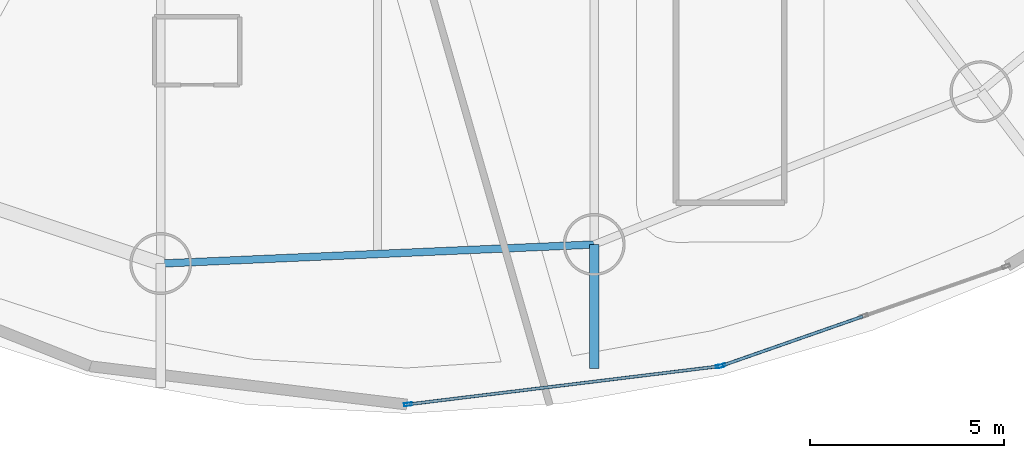
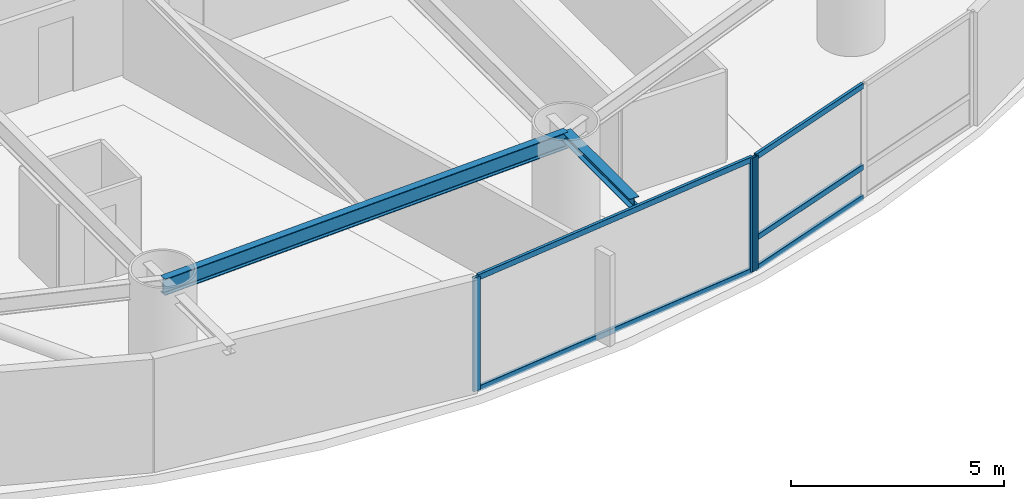
# One storey, part 8 of 30: 8 members, 2 beams, 2 elements without a shape of their own.
"""IFC4 building model written with IfcOpenShell, lengths in metres."""

from ifc_helpers import new_model, si_unit, direction, frame, origin, origin_2d, place, context, subcontext, project, spatial, hollow_rectangle, i_section, extrude, material, layer, layer_set, material_profile, profile_set, type_object, element, aggregate, save


model = new_model("IFC4")

# Units and contexts
model_context = context("Model", 3, precision=1e-05, world=origin(), true_north=direction((0.0, 1.0)))
body_context = subcontext(model_context, "Body", "Model", "MODEL_VIEW")
ifc_project = project(units=[si_unit("LENGTHUNIT", "METRE"), si_unit("AREAUNIT", "SQUARE_METRE"), si_unit("VOLUMEUNIT", "CUBIC_METRE"), si_unit("PLANEANGLEUNIT", "RADIAN"), si_unit("MASSUNIT", "GRAM", prefix="KILO")], contexts=[model_context])

# Site, building, storey
site_placement = place(None, origin())
site = spatial("IfcSite", under=ifc_project, at=site_placement, CompositionType="ELEMENT")
building_placement = place(site_placement, origin())
building = spatial("IfcBuilding", under=site, at=building_placement, Name="Bramvorn Convention Spire", CompositionType="ELEMENT")
storey_placement = place(building_placement, frame((0.0, 0.0, 90.39990234375)))
storey = spatial("IfcBuildingStorey", under=building, at=storey_placement, Name="L21", CompositionType="ELEMENT", Elevation=90.39990234375)

# Beams
ifc_material_1 = material(Name="Steel CSA G40.21 Grade 350 (350W)", Category="steel")
ifc_material_profile_1 = material_profile(ifc_material_1, i_section(OverallWidth=0.25390625, OverallDepth=0.2529296875, WebThickness=0.008544921875, FlangeThickness=0.01416015625, FilletRadius=0.011962890625, at=origin_2d()))
ifc_profile_set_1 = profile_set([ifc_material_profile_1], Name="Steel CSA G40.21 Grade 350 (350W) - W250X73")
beam_type_1 = type_object("IfcBeamType", Name="BM-W250X73", PredefinedType="BEAM", material=ifc_profile_set_1)
beam_1_placement = place(storey_placement, frame((46.23779296875, 5.42333984375, 3.12353515625), z_axis=(0.0, -1.0, 0.0), x_axis=(1.0, 0.0, 0.0)))
element("IfcBeam", 1, at=beam_1_placement, inside=storey, type_object=beam_type_1, Name="L21 slab-edge cantilever tip beam MC14", PredefinedType="BEAM", context=body_context, shape_type="SweptSolid", body=[
    extrude(i_section(OverallWidth=0.25390625, OverallDepth=0.2529296875, WebThickness=0.008544921875, FlangeThickness=0.01416015625, FilletRadius=0.011962890625, at=origin_2d()), origin(), (0.0, 0.0, 1.0), 3.199951171875),
])
ifc_material_profile_2 = material_profile(ifc_material_1, i_section(OverallWidth=0.194091796875, OverallDepth=0.468994140625, WebThickness=0.0126953125, FlangeThickness=0.0205078125, FilletRadius=0.01806640625, at=origin_2d()))
ifc_profile_set_2 = profile_set([ifc_material_profile_2], Name="Steel CSA G40.21 Grade 350 (350W) - W460X106")
beam_type_2 = type_object("IfcBeamType", Name="BM-W460X106", PredefinedType="SPANDREL", material=ifc_profile_set_2)
beam_2_placement = place(storey_placement, frame((35.0390625, 4.93115234375, 3.015625), z_axis=(0.999035582762, 0.043907907889, 0.0), x_axis=(-0.043907907889, 0.999035582762, 0.0)))
element("IfcBeam", 2, at=beam_2_placement, inside=storey, type_object=beam_type_2, Name="L21 mega-column ring beam 13", PredefinedType="SPANDREL", context=body_context, shape_type="SweptSolid", body=[
    extrude(i_section(OverallWidth=0.194091796875, OverallDepth=0.468994140625, WebThickness=0.0126953125, FlangeThickness=0.0205078125, FilletRadius=0.01806640625, at=origin_2d()), origin(), (0.0, 0.0, 1.0), 11.20947265625),
])

# Curtain wall, members
ifc_material_2 = material(Name="Anodised Bronze Unitised Curtain Wall", Category="aluminium")
ifc_layer = layer(ifc_material_2, 0.179931640625)
ifc_layer_set = layer_set([ifc_layer], Name="Anodised Bronze Unitised Curtain Wall - CW-HTL-FRIT")
curtain_wall_type = type_object("IfcCurtainWallType", Name="CW-HTL-FRIT", PredefinedType="USERDEFINED", material=ifc_layer_set)
curtain_wall_1_placement = place(storey_placement, origin())
curtain_wall_1 = element("IfcCurtainWall", 3, at=curtain_wall_1_placement, inside=storey, type_object=curtain_wall_type, Name="L21 fritted glass curtain wall 20", ObjectType="UNITISED CURTAIN WALL", PredefinedType="USERDEFINED")
ifc_material_3 = material(Name="Anodised Bronze Aluminium 6063-T6", Category="aluminium")
ifc_material_profile_3 = material_profile(ifc_material_3, hollow_rectangle(XDim=0.080078125, YDim=0.199951171875, WallThickness=0.00390625, InnerFilletRadius=0.0009765625, OuterFilletRadius=0.00390625, at=origin_2d()))
ifc_profile_set_3 = profile_set([ifc_material_profile_3], Name="Anodised Bronze Aluminium 6063-T6 - CWM80X200")
member_type_1 = type_object("IfcMemberType", Name="CW-MUL-180", PredefinedType="MULLION", material=ifc_profile_set_3)
member_1_placement = place(storey_placement, frame((49.475830078125, 2.277587890625, 0.0), z_axis=(0.0, 0.0, 1.0), x_axis=(0.121457030631, -0.992596690358, 0.0)))
member_1 = element("IfcMember", 4, at=member_1_placement, type_object=member_type_1, Name="CW2 mullion 1", PredefinedType="MULLION", context=body_context, shape_type="SweptSolid", body=[
    extrude(hollow_rectangle(XDim=0.080078125, YDim=0.199951171875, WallThickness=0.00390625, InnerFilletRadius=0.0009765625, OuterFilletRadius=0.00390625, at=origin_2d()), origin(), (0.0, 0.0, 1.0), 3.25),
])
member_2_placement = place(storey_placement, frame((41.425048828125, 1.29248046875, 0.0), z_axis=(0.0, 0.0, 1.0), x_axis=(0.121457030631, -0.992596690358, 0.0)))
member_2 = element("IfcMember", 5, at=member_2_placement, type_object=member_type_1, Name="CW2 mullion 2", PredefinedType="MULLION", context=body_context, shape_type="SweptSolid", body=[
    extrude(hollow_rectangle(XDim=0.080078125, YDim=0.199951171875, WallThickness=0.00390625, InnerFilletRadius=0.0009765625, OuterFilletRadius=0.00390625, at=origin_2d()), origin(), (0.0, 0.0, 1.0), 3.25),
])

# Curtain wall, member
curtain_wall_2_placement = place(storey_placement, origin())
curtain_wall_2 = element("IfcCurtainWall", 6, at=curtain_wall_2_placement, inside=storey, type_object=curtain_wall_type, Name="L21 fritted glass curtain wall 21", ObjectType="UNITISED CURTAIN WALL", PredefinedType="USERDEFINED")
member_3_placement = place(storey_placement, frame((49.533935546875, 2.291015625, 0.0), z_axis=(0.0, 0.0, 1.0), x_axis=(0.329972810015, -0.943990436737, 0.0)))
member_3 = element("IfcMember", 7, at=member_3_placement, type_object=member_type_1, Name="CW2 mullion 3", PredefinedType="MULLION", context=body_context, shape_type="SweptSolid", body=[
    extrude(hollow_rectangle(XDim=0.080078125, YDim=0.199951171875, WallThickness=0.00390625, InnerFilletRadius=0.0009765625, OuterFilletRadius=0.00390625, at=origin_2d()), origin(), (0.0, 0.0, 1.0), 3.25),
])

# Member
ifc_material_profile_4 = material_profile(ifc_material_3, hollow_rectangle(XDim=0.080078125, YDim=0.159912109375, WallThickness=0.00390625, InnerFilletRadius=0.0009765625, OuterFilletRadius=0.00390625, at=origin_2d()))
ifc_profile_set_4 = profile_set([ifc_material_profile_4], Name="Anodised Bronze Aluminium 6063-T6 - CWT80X160")
member_type_2 = type_object("IfcMemberType", Name="CW-TRN-150", PredefinedType="USERDEFINED", material=ifc_profile_set_4)
member_4_placement = place(storey_placement, frame((49.446044921875, 2.27392578125, 0.030029296875), z_axis=(-0.992597359879, -0.121451558912, 0.0), x_axis=(0.121451558912, -0.992597359879, 0.0)))
member_4 = element("IfcMember", 8, at=member_4_placement, type_object=member_type_2, Name="CW2 transom 1.1", ObjectType="TRANSOM", PredefinedType="USERDEFINED", context=body_context, shape_type="SweptSolid", body=[
    extrude(hollow_rectangle(XDim=0.080078125, YDim=0.159912109375, WallThickness=0.00390625, InnerFilletRadius=0.0009765625, OuterFilletRadius=0.00390625, at=origin_2d()), origin(), (0.0, 0.0, 1.0), 8.05078125),
])

member_5_placement = place(storey_placement, frame((49.446044921875, 2.27392578125, 3.22021484375), z_axis=(-0.992597359879, -0.121451558912, 0.0), x_axis=(0.121451558912, -0.992597359879, 0.0)))
member_5 = element("IfcMember", 9, at=member_5_placement, type_object=member_type_2, Name="CW2 transom 1.2", ObjectType="TRANSOM", PredefinedType="USERDEFINED", context=body_context, shape_type="SweptSolid", body=[
    extrude(hollow_rectangle(XDim=0.080078125, YDim=0.159912109375, WallThickness=0.00390625, InnerFilletRadius=0.0009765625, OuterFilletRadius=0.00390625, at=origin_2d()), origin(), (0.0, 0.0, 1.0), 8.05078125),
])

aggregate(curtain_wall_1, [member_1, member_2, member_4, member_5])

member_6_placement = place(storey_placement, frame((53.179931640625, 3.565673828125, 0.030029296875), z_axis=(-0.943983428897, -0.32999285745, 0.0), x_axis=(0.32999285745, -0.943983428897, 0.0)))
member_6 = element("IfcMember", 10, at=member_6_placement, type_object=member_type_2, Name="CW2 transom 2.1", ObjectType="TRANSOM", PredefinedType="USERDEFINED", context=body_context, shape_type="SweptSolid", body=[
    extrude(hollow_rectangle(XDim=0.080078125, YDim=0.159912109375, WallThickness=0.00390625, InnerFilletRadius=0.0009765625, OuterFilletRadius=0.00390625, at=origin_2d()), origin(), (0.0, 0.0, 1.0), 3.832275390625),
])

member_7_placement = place(storey_placement, frame((53.179931640625, 3.565673828125, 0.900146484375), z_axis=(-0.943983428897, -0.32999285745, 0.0), x_axis=(0.32999285745, -0.943983428897, 0.0)))
member_7 = element("IfcMember", 11, at=member_7_placement, type_object=member_type_2, Name="CW2 transom 2.2", ObjectType="TRANSOM", PredefinedType="USERDEFINED", context=body_context, shape_type="SweptSolid", body=[
    extrude(hollow_rectangle(XDim=0.080078125, YDim=0.159912109375, WallThickness=0.00390625, InnerFilletRadius=0.0009765625, OuterFilletRadius=0.00390625, at=origin_2d()), origin(), (0.0, 0.0, 1.0), 3.832275390625),
])

member_8_placement = place(storey_placement, frame((53.179931640625, 3.565673828125, 3.22021484375), z_axis=(-0.943983428897, -0.32999285745, 0.0), x_axis=(0.32999285745, -0.943983428897, 0.0)))
member_8 = element("IfcMember", 12, at=member_8_placement, type_object=member_type_2, Name="CW2 transom 2.3", ObjectType="TRANSOM", PredefinedType="USERDEFINED", context=body_context, shape_type="SweptSolid", body=[
    extrude(hollow_rectangle(XDim=0.080078125, YDim=0.159912109375, WallThickness=0.00390625, InnerFilletRadius=0.0009765625, OuterFilletRadius=0.00390625, at=origin_2d()), origin(), (0.0, 0.0, 1.0), 3.832275390625),
])

aggregate(curtain_wall_2, [member_3, member_6, member_7, member_8])

save(model, "model.ifc")
